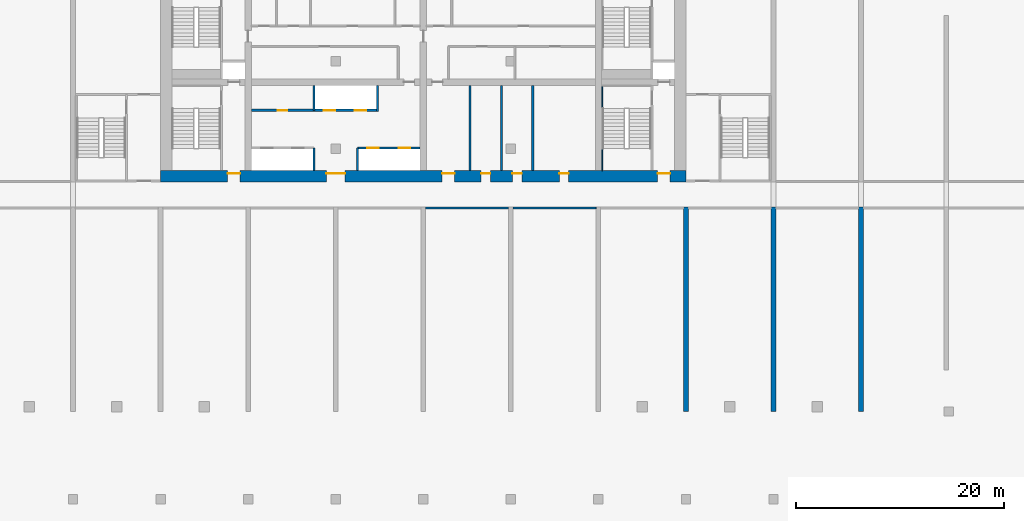
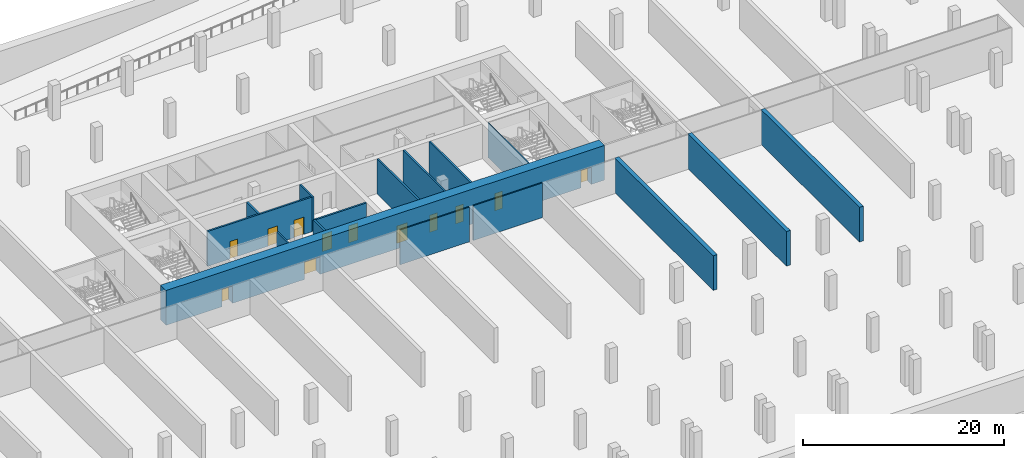
# One storey, part 5 of 13: 16 walls, 12 doors, 12 openings.
"""IFC4 building model written with IfcOpenShell, lengths in metres."""

from ifc_helpers import new_model, si_unit, direction, frame, frame_2d, origin, place, context, subcontext, project, spatial, rectangle, extrude, source, transform, mapped, material, layer, layer_set, type_object, element, fill, save


model = new_model("IFC4")

# Units and contexts
model_context = context("Model", 3, precision=1e-05, world=origin(), true_north=direction((0.0, 1.0)))
body_context = subcontext(model_context, "Body", "Model", "MODEL_VIEW")
ifc_project = project(units=[si_unit("LENGTHUNIT", "METRE"), si_unit("AREAUNIT", "SQUARE_METRE"), si_unit("VOLUMEUNIT", "CUBIC_METRE"), si_unit("PLANEANGLEUNIT", "RADIAN"), si_unit("MASSUNIT", "GRAM", prefix="KILO")], contexts=[model_context])

# Site, building, storey
site_placement = place(None, origin())
site = spatial("IfcSite", under=ifc_project, at=site_placement, CompositionType="ELEMENT")
building_placement = place(site_placement, origin())
building = spatial("IfcBuilding", under=site, at=building_placement, Name="Vanashikhar Sky Hotel", CompositionType="ELEMENT")
storey_placement = place(building_placement, frame((0.0, 0.0, -9.0)))
storey = spatial("IfcBuildingStorey", under=building, at=storey_placement, Name="B2", CompositionType="ELEMENT", Elevation=-9.0)

# Wall, openings, doors
ifc_material_1 = material(Name="Concrete M80", Category="concrete")
ifc_layer_1 = layer(ifc_material_1, 1.10009765625)
ifc_layer_set_1 = layer_set([ifc_layer_1], Name="RC core shell wall 1100 Concrete M80")
wall_type_1 = type_object("IfcWallType", Name="RC core shell wall 1100 Concrete M80", PredefinedType="SHEAR", material=ifc_layer_set_1)
shared_shape_1 = source(origin(), body_context, "Body", "SweptSolid", [
    extrude(rectangle(XDim=50.400146484375, YDim=1.10009765625, at=frame_2d((25.2001953125, 0.0))), origin(), (0.0, 0.0, 1.0), 4.219970703125),
])
wall_1_placement = place(storey_placement, frame((25.199951171875, 22.550048828125, 0.0), z_axis=(0.0, 0.0, 1.0), x_axis=(1.0, 0.0, 0.0)))
wall_1 = element("IfcWall", 1, at=wall_1_placement, inside=storey, type_object=wall_type_1, Name="KW-B2-KS", PredefinedType="SHEAR", context=body_context, shape_type="MappedRepresentation", body=[
    mapped(shared_shape_1, transform((0.0, 0.0, 0.0), scale=1.0)),
])
shared_shape_2 = source(origin(), body_context, "Body", "SweptSolid", [
    extrude(rectangle(XDim=1.800048828125, YDim=2.10009765625, at=frame_2d((0.89990234375, 1.050048828125))), frame((0.0, 0.56005859375, 0.0), z_axis=(0.0, -1.0, 0.0), x_axis=(1.0, 0.0, 0.0)), (0.0, 0.0, 1.0), 1.1201171875),
])
opening_1_placement = place(wall_1_placement, frame((15.89990234375, 0.0, 0.0)))
opening_1 = element("IfcOpeningElement", 2, at=opening_1_placement, cuts=wall_1, Name="Opening DC-3", PredefinedType="OPENING", context=body_context, shape_type="MappedRepresentation", body=[
    mapped(shared_shape_2, transform((0.0, 0.0, 0.0), scale=1.0)),
])
shared_shape_3 = source(origin(), body_context, "Body", "SweptSolid", [
    extrude(rectangle(XDim=1.199951171875, YDim=2.10009765625, at=frame_2d((0.60009765625, 1.050048828125))), frame((0.0, 0.56005859375, 0.0), z_axis=(0.0, -1.0, 0.0), x_axis=(1.0, 0.0, 0.0)), (0.0, 0.0, 1.0), 1.1201171875),
])
opening_2_placement = place(wall_1_placement, frame((27.0, 0.0, 0.0)))
opening_2 = element("IfcOpeningElement", 3, at=opening_2_placement, cuts=wall_1, Name="Opening DC-4-B", PredefinedType="OPENING", context=body_context, shape_type="MappedRepresentation", body=[
    mapped(shared_shape_3, transform((0.0, 0.0, 0.0), scale=1.0)),
])
shared_shape_4 = source(origin(), body_context, "Body", "SweptSolid", [
    extrude(rectangle(XDim=0.89990234375, YDim=2.10009765625, at=frame_2d((0.449951171875, 1.050048828125))), frame((0.0, 0.56005859375, 0.0), z_axis=(0.0, -1.0, 0.0), x_axis=(1.0, 0.0, 0.0)), (0.0, 0.0, 1.0), 1.1201171875),
])
opening_3_placement = place(wall_1_placement, frame((33.75, 0.0, 0.0)))
opening_3 = element("IfcOpeningElement", 4, at=opening_3_placement, cuts=wall_1, Name="Opening DC-4-A", PredefinedType="OPENING", context=body_context, shape_type="MappedRepresentation", body=[
    mapped(shared_shape_4, transform((0.0, 0.0, 0.0), scale=1.0)),
])
opening_4_placement = place(wall_1_placement, frame((30.75, 0.0, 0.0)))
opening_4 = element("IfcOpeningElement", 5, at=opening_4_placement, cuts=wall_1, Name="Opening DC-4-A", PredefinedType="OPENING", context=body_context, shape_type="MappedRepresentation", body=[
    mapped(shared_shape_4, transform((0.0, 0.0, 0.0), scale=1.0)),
])
opening_5_placement = place(wall_1_placement, frame((38.25, 0.0, 0.0)))
opening_5 = element("IfcOpeningElement", 6, at=opening_5_placement, cuts=wall_1, Name="Opening DC-4-A", PredefinedType="OPENING", context=body_context, shape_type="MappedRepresentation", body=[
    mapped(shared_shape_4, transform((0.0, 0.0, 0.0), scale=1.0)),
])
opening_6_placement = place(wall_1_placement, frame((6.425048828125, 0.0, 0.0)))
opening_6 = element("IfcOpeningElement", 7, at=opening_6_placement, cuts=wall_1, Name="Opening DC-2", PredefinedType="OPENING", context=body_context, shape_type="MappedRepresentation", body=[
    mapped(shared_shape_3, transform((0.0, 0.0, 0.0), scale=1.0)),
])
opening_7_placement = place(wall_1_placement, frame((47.675048828125, 0.0, 0.0)))
opening_7 = element("IfcOpeningElement", 8, at=opening_7_placement, cuts=wall_1, Name="Opening DC-2", PredefinedType="OPENING", context=body_context, shape_type="MappedRepresentation", body=[
    mapped(shared_shape_3, transform((0.0, 0.0, 0.0), scale=1.0)),
])
ifc_material_2 = material(Name="Glass", Category="glass")
door_type_1 = type_object("IfcDoorType", Name="Lift lobby entrance door 1800 FD60", OperationType="NOTDEFINED", PredefinedType="DOOR", material=ifc_material_2)
shared_shape_5 = source(origin(), body_context, "Body", "SweptSolid", [
    extrude(rectangle(XDim=1.800048828125, YDim=2.10009765625, at=frame_2d((0.89990234375, 1.050048828125))), frame((0.0, 0.3251953125, 0.0), z_axis=(0.0, -1.0, 0.0), x_axis=(1.0, 0.0, 0.0)), (0.0, 0.0, 1.0), 0.050048828125),
])
door_1_placement = place(opening_1_placement, origin())
door_1 = element("IfcDoor", 9, at=door_1_placement, inside=storey, type_object=door_type_1, Name="Lift lobby entrance door 1800 FD60", OperationType="DOUBLE_DOOR_SINGLE_SWING", OverallHeight=2.10009765625, OverallWidth=1.800048828125, PredefinedType="DOOR", context=body_context, shape_type="MappedRepresentation", body=[
    mapped(shared_shape_5, transform((0.0, 0.0, 0.0), scale=1.0)),
])
fill(opening_1, door_1)
ifc_material_3 = material(Name="Steel", Category="steel")
door_type_2 = type_object("IfcDoorType", Name="Service door 1200 FD60", OperationType="NOTDEFINED", PredefinedType="DOOR", material=ifc_material_3)
shared_shape_6 = source(origin(), body_context, "Body", "SweptSolid", [
    extrude(rectangle(XDim=1.199951171875, YDim=2.10009765625, at=frame_2d((0.60009765625, 1.050048828125))), frame((0.0, 0.3251953125, 0.0), z_axis=(0.0, -1.0, 0.0), x_axis=(1.0, 0.0, 0.0)), (0.0, 0.0, 1.0), 0.050048828125),
])
door_2_placement = place(opening_2_placement, origin())
door_2 = element("IfcDoor", 10, at=door_2_placement, inside=storey, type_object=door_type_2, Name="Service door 1200 FD60", OperationType="SINGLE_SWING_LEFT", OverallHeight=2.10009765625, OverallWidth=1.199951171875, PredefinedType="DOOR", context=body_context, shape_type="MappedRepresentation", body=[
    mapped(shared_shape_6, transform((0.0, 0.0, 0.0), scale=1.0)),
])
fill(opening_2, door_2)
door_type_3 = type_object("IfcDoorType", Name="Firefighting lobby door 1200 FD120", OperationType="NOTDEFINED", PredefinedType="DOOR", material=ifc_material_3)
door_3_placement = place(opening_6_placement, origin())
door_3 = element("IfcDoor", 11, at=door_3_placement, inside=storey, type_object=door_type_3, Name="Firefighting lobby door 1200 FD120", OperationType="SINGLE_SWING_LEFT", OverallHeight=2.10009765625, OverallWidth=1.199951171875, PredefinedType="DOOR", context=body_context, shape_type="MappedRepresentation", body=[
    mapped(shared_shape_6, transform((0.0, 0.0, 0.0), scale=1.0)),
])
fill(opening_6, door_3)
door_4_placement = place(opening_7_placement, origin())
door_4 = element("IfcDoor", 12, at=door_4_placement, inside=storey, type_object=door_type_3, Name="Firefighting lobby door 1200 FD120", OperationType="SINGLE_SWING_RIGHT", OverallHeight=2.10009765625, OverallWidth=1.199951171875, PredefinedType="DOOR", context=body_context, shape_type="MappedRepresentation", body=[
    mapped(shared_shape_6, transform((0.0, 0.0, 0.0), scale=1.0)),
])
fill(opening_7, door_4)
door_type_4 = type_object("IfcDoorType", Name="Service door 900 FD60", OperationType="NOTDEFINED", PredefinedType="DOOR", material=ifc_material_3)
shared_shape_7 = source(origin(), body_context, "Body", "SweptSolid", [
    extrude(rectangle(XDim=0.89990234375, YDim=2.10009765625, at=frame_2d((0.449951171875, 1.050048828125))), frame((0.0, 0.3251953125, 0.0), z_axis=(0.0, -1.0, 0.0), x_axis=(1.0, 0.0, 0.0)), (0.0, 0.0, 1.0), 0.050048828125),
])
door_5_placement = place(opening_3_placement, origin())
door_5 = element("IfcDoor", 13, at=door_5_placement, inside=storey, type_object=door_type_4, Name="Service door 900 FD60", OperationType="SINGLE_SWING_LEFT", OverallHeight=2.10009765625, OverallWidth=0.89990234375, PredefinedType="DOOR", context=body_context, shape_type="MappedRepresentation", body=[
    mapped(shared_shape_7, transform((0.0, 0.0, 0.0), scale=1.0)),
])
fill(opening_3, door_5)
door_6_placement = place(opening_4_placement, origin())
door_6 = element("IfcDoor", 14, at=door_6_placement, inside=storey, type_object=door_type_4, Name="Service door 900 FD60", OperationType="SINGLE_SWING_RIGHT", OverallHeight=2.10009765625, OverallWidth=0.89990234375, PredefinedType="DOOR", context=body_context, shape_type="MappedRepresentation", body=[
    mapped(shared_shape_7, transform((0.0, 0.0, 0.0), scale=1.0)),
])
fill(opening_4, door_6)
door_7_placement = place(opening_5_placement, origin())
door_7 = element("IfcDoor", 15, at=door_7_placement, inside=storey, type_object=door_type_4, Name="Service door 900 FD60", OperationType="SINGLE_SWING_RIGHT", OverallHeight=2.10009765625, OverallWidth=0.89990234375, PredefinedType="DOOR", context=body_context, shape_type="MappedRepresentation", body=[
    mapped(shared_shape_7, transform((0.0, 0.0, 0.0), scale=1.0)),
])
fill(opening_5, door_7)

# Walls
ifc_layer_2 = layer(ifc_material_1, 0.449951171875)
ifc_layer_set_2 = layer_set([ifc_layer_2], Name="RC shear wall 450 Concrete M80")
wall_type_2 = type_object("IfcWallType", Name="RC shear wall 450 Concrete M80", PredefinedType="SHEAR", material=ifc_layer_set_2)
shared_shape_8 = source(origin(), body_context, "Body", "SweptSolid", [
    extrude(rectangle(XDim=19.60009765625, YDim=0.449951171875, at=frame_2d((9.800048828125, 0.0))), origin(), (0.0, 0.0, 1.0), 4.219970703125),
])
for number, where, z_axis, x_axis, name in (
    (16, (75.60009765625, 0.0, 0.0), (0.0, 0.0, 1.0), (0.0, 1.0, 0.0), "CW-B2-XW10-1"),
    (17, (84.0, 0.0, 0.0), (0.0, 0.0, 1.0), (0.0, 1.0, 0.0), "CW-B2-XW11-1"),
    (18, (92.39990234375, 0.0, 0.0), (0.0, 0.0, 1.0), (0.0, 1.0, 0.0), "CW-B2-XW12-1"),
):
    element("IfcWall", number, at=place(storey_placement, frame(where, z_axis=z_axis, x_axis=x_axis)), inside=storey, type_object=wall_type_2, Name=name, PredefinedType="SHEAR", context=body_context, shape_type="MappedRepresentation", body=[
        mapped(shared_shape_8, transform((0.0, 0.0, 0.0), scale=1.0)),
    ])

# Wall, openings, doors
ifc_material_4 = material(Name="Concrete M40", Category="concrete")
ifc_layer_3 = layer(ifc_material_4, 0.199951171875)
ifc_layer_set_3 = layer_set([ifc_layer_3], Name="Shaft wall 200")
wall_type_3 = type_object("IfcWallType", Name="Shaft wall 200", PredefinedType="SOLIDWALL", material=ifc_layer_set_3)
shared_shape_9 = source(origin(), body_context, "Body", "SweptSolid", [
    extrude(rectangle(XDim=6.0, YDim=0.199951171875, at=frame_2d((3.0, 0.0))), origin(), (0.0, 0.0, 1.0), 4.219970703125),
])
wall_2_placement = place(storey_placement, frame((44.10009765625, 25.300048828125, 0.0), z_axis=(0.0, 0.0, 1.0), x_axis=(1.0, 0.0, 0.0)))
wall_2 = element("IfcWall", 19, at=wall_2_placement, inside=storey, type_object=wall_type_3, Name="Shaft wall 200", PredefinedType="SOLIDWALL", context=body_context, shape_type="MappedRepresentation", body=[
    mapped(shared_shape_9, transform((0.0, 0.0, 0.0), scale=1.0)),
])
shared_shape_10 = source(origin(), body_context, "Body", "SweptSolid", [
    extrude(rectangle(XDim=1.10009765625, YDim=2.10009765625, at=frame_2d((0.550048828125, 1.050048828125))), frame((0.0, 0.10986328125, 0.0), z_axis=(0.0, -1.0, 0.0), x_axis=(1.0, 0.0, 0.0)), (0.0, 0.0, 1.0), 0.219970703125),
])
opening_8_placement = place(wall_2_placement, frame((0.949951171875, 0.0, 0.0)))
opening_8 = element("IfcOpeningElement", 20, at=opening_8_placement, cuts=wall_2, Name="Opening LD", PredefinedType="OPENING", context=body_context, shape_type="MappedRepresentation", body=[
    mapped(shared_shape_10, transform((0.0, 0.0, 0.0), scale=1.0)),
])
opening_9_placement = place(wall_2_placement, frame((3.949951171875, 0.0, 0.0)))
opening_9 = element("IfcOpeningElement", 21, at=opening_9_placement, cuts=wall_2, Name="Opening LD", PredefinedType="OPENING", context=body_context, shape_type="MappedRepresentation", body=[
    mapped(shared_shape_10, transform((0.0, 0.0, 0.0), scale=1.0)),
])
ifc_material_5 = material(Name="Stainless steel", Category="steel")
door_type_5 = type_object("IfcDoorType", Name="Lift landing door 1100", OperationType="NOTDEFINED", PredefinedType="DOOR", material=ifc_material_5)
shared_shape_11 = source(origin(), body_context, "Body", "SweptSolid", [
    extrude(rectangle(XDim=1.10009765625, YDim=2.10009765625, at=frame_2d((0.550048828125, 1.050048828125))), frame((0.0, 0.02490234375, 0.0), z_axis=(0.0, -1.0, 0.0), x_axis=(1.0, 0.0, 0.0)), (0.0, 0.0, 1.0), 0.050048828125),
])
door_8_placement = place(opening_8_placement, origin())
door_8 = element("IfcDoor", 22, at=door_8_placement, inside=storey, type_object=door_type_5, Name="Lift landing door 1100", OperationType="SLIDING_TO_LEFT", OverallHeight=2.10009765625, OverallWidth=1.10009765625, PredefinedType="DOOR", context=body_context, shape_type="MappedRepresentation", body=[
    mapped(shared_shape_11, transform((0.0, 0.0, 0.0), scale=1.0)),
])
fill(opening_8, door_8)
door_9_placement = place(opening_9_placement, origin())
door_9 = element("IfcDoor", 23, at=door_9_placement, inside=storey, type_object=door_type_5, Name="Lift landing door 1100", OperationType="SLIDING_TO_RIGHT", OverallHeight=2.10009765625, OverallWidth=1.10009765625, PredefinedType="DOOR", context=body_context, shape_type="MappedRepresentation", body=[
    mapped(shared_shape_11, transform((0.0, 0.0, 0.0), scale=1.0)),
])
fill(opening_9, door_9)

shared_shape_12 = source(origin(), body_context, "Body", "SweptSolid", [
    extrude(rectangle(XDim=12.0, YDim=0.199951171875, at=frame_2d((6.0, 0.0))), origin(), (0.0, 0.0, 1.0), 4.219970703125),
])
wall_3_placement = place(storey_placement, frame((33.89990234375, 28.89990234375, 0.0), z_axis=(0.0, 0.0, 1.0), x_axis=(1.0, 0.0, 0.0)))
wall_3 = element("IfcWall", 24, at=wall_3_placement, inside=storey, type_object=wall_type_3, Name="Shaft wall 200", PredefinedType="SOLIDWALL", context=body_context, shape_type="MappedRepresentation", body=[
    mapped(shared_shape_12, transform((0.0, 0.0, 0.0), scale=1.0)),
])
opening_10_placement = place(wall_3_placement, frame((6.949951171875, 0.0, 0.0)))
opening_10 = element("IfcOpeningElement", 25, at=opening_10_placement, cuts=wall_3, Name="Opening LD", PredefinedType="OPENING", context=body_context, shape_type="MappedRepresentation", body=[
    mapped(shared_shape_10, transform((0.0, 0.0, 0.0), scale=1.0)),
])
opening_11_placement = place(wall_3_placement, frame((9.949951171875, 0.0, 0.0)))
opening_11 = element("IfcOpeningElement", 26, at=opening_11_placement, cuts=wall_3, Name="Opening LD", PredefinedType="OPENING", context=body_context, shape_type="MappedRepresentation", body=[
    mapped(shared_shape_10, transform((0.0, 0.0, 0.0), scale=1.0)),
])
shared_shape_13 = source(origin(), body_context, "Body", "SweptSolid", [
    extrude(rectangle(XDim=0.89990234375, YDim=2.10009765625, at=frame_2d((0.449951171875, 1.050048828125))), frame((0.0, 0.10986328125, 0.0), z_axis=(0.0, -1.0, 0.0), x_axis=(1.0, 0.0, 0.0)), (0.0, 0.0, 1.0), 0.219970703125),
])
opening_12_placement = place(wall_3_placement, frame((2.550048828125, 0.0, 0.0)))
opening_12 = element("IfcOpeningElement", 27, at=opening_12_placement, cuts=wall_3, Name="Opening DC-4-A", PredefinedType="OPENING", context=body_context, shape_type="MappedRepresentation", body=[
    mapped(shared_shape_13, transform((0.0, 0.0, 0.0), scale=1.0)),
])
door_10_placement = place(opening_10_placement, origin())
door_10 = element("IfcDoor", 28, at=door_10_placement, inside=storey, type_object=door_type_5, Name="Lift landing door 1100", OperationType="SLIDING_TO_LEFT", OverallHeight=2.10009765625, OverallWidth=1.10009765625, PredefinedType="DOOR", context=body_context, shape_type="MappedRepresentation", body=[
    mapped(shared_shape_11, transform((0.0, 0.0, 0.0), scale=1.0)),
])
fill(opening_10, door_10)
door_11_placement = place(opening_11_placement, origin())
door_11 = element("IfcDoor", 29, at=door_11_placement, inside=storey, type_object=door_type_5, Name="Lift landing door 1100", OperationType="SLIDING_TO_RIGHT", OverallHeight=2.10009765625, OverallWidth=1.10009765625, PredefinedType="DOOR", context=body_context, shape_type="MappedRepresentation", body=[
    mapped(shared_shape_11, transform((0.0, 0.0, 0.0), scale=1.0)),
])
fill(opening_11, door_11)
shared_shape_14 = source(origin(), body_context, "Body", "SweptSolid", [
    extrude(rectangle(XDim=0.89990234375, YDim=2.10009765625, at=frame_2d((0.449951171875, 1.050048828125))), frame((0.0, 0.02490234375, 0.0), z_axis=(0.0, -1.0, 0.0), x_axis=(1.0, 0.0, 0.0)), (0.0, 0.0, 1.0), 0.050048828125),
])
door_12_placement = place(opening_12_placement, origin())
door_12 = element("IfcDoor", 30, at=door_12_placement, inside=storey, type_object=door_type_4, Name="Service door 900 FD60", OperationType="SINGLE_SWING_LEFT", OverallHeight=2.10009765625, OverallWidth=0.89990234375, PredefinedType="DOOR", context=body_context, shape_type="MappedRepresentation", body=[
    mapped(shared_shape_14, transform((0.0, 0.0, 0.0), scale=1.0)),
])
fill(opening_12, door_12)

# Walls
shared_shape_15 = source(origin(), body_context, "Body", "SweptSolid", [
    extrude(rectangle(XDim=2.199951171875, YDim=0.199951171875, at=frame_2d((1.10009765625, 0.0))), origin(), (0.0, 0.0, 1.0), 4.219970703125),
])
for number, where, z_axis, x_axis, name in (
    (31, (39.89990234375, 23.10009765625, 0.0), (0.0, 0.0, 1.0), (0.0, 1.0, 0.0), "Shaft wall 200"),
    (32, (44.10009765625, 23.10009765625, 0.0), (0.0, 0.0, 1.0), (0.0, 1.0, 0.0), "Shaft wall 200"),
):
    element("IfcWall", number, at=place(storey_placement, frame(where, z_axis=z_axis, x_axis=x_axis)), inside=storey, type_object=wall_type_3, Name=name, PredefinedType="SOLIDWALL", context=body_context, shape_type="MappedRepresentation", body=[
        mapped(shared_shape_15, transform((0.0, 0.0, 0.0), scale=1.0)),
    ])
shared_shape_16 = source(origin(), body_context, "Body", "SweptSolid", [
    extrude(rectangle(XDim=2.5, YDim=0.199951171875, at=frame_2d((1.25, 0.0))), origin(), (0.0, 0.0, 1.0), 4.219970703125),
])
wall_4_placement = place(storey_placement, frame((46.0, 28.800048828125, 0.0), z_axis=(0.0, 0.0, 1.0), x_axis=(0.0, 1.0, 0.0)))
element("IfcWall", 33, at=wall_4_placement, inside=storey, type_object=wall_type_3, Name="Shaft wall 200", PredefinedType="SOLIDWALL", context=body_context, shape_type="MappedRepresentation", body=[
    mapped(shared_shape_16, transform((0.0, 0.0, 0.0), scale=1.0)),
])
ifc_material_6 = material(Name="Gypsum board partition")
ifc_layer_4 = layer(ifc_material_6, 0.14990234375)
ifc_layer_set_4 = layer_set([ifc_layer_4], Name="Service partition 150")
wall_type_4 = type_object("IfcWallType", Name="Service partition 150", PredefinedType="PARTITIONING", material=ifc_layer_set_4)
shared_shape_17 = source(origin(), body_context, "Body", "SweptSolid", [
    extrude(rectangle(XDim=2.400146484375, YDim=0.199951171875, at=frame_2d((1.2001953125, 0.0))), origin(), (0.0, 0.0, 1.0), 4.219970703125),
])
wall_5_placement = place(storey_placement, frame((39.89990234375, 28.89990234375, 0.0), z_axis=(0.0, 0.0, 1.0), x_axis=(0.0, 1.0, 0.0)))
element("IfcWall", 34, at=wall_5_placement, inside=storey, type_object=wall_type_4, Name="Service partition 150", PredefinedType="PARTITIONING", context=body_context, shape_type="MappedRepresentation", body=[
    mapped(shared_shape_17, transform((0.0, 0.0, 0.0), scale=1.0)),
])
shared_shape_18 = source(origin(), body_context, "Body", "SweptSolid", [
    extrude(rectangle(XDim=8.199951171875, YDim=0.199951171875, at=frame_2d((4.10009765625, 0.0))), origin(), (0.0, 0.0, 1.0), 4.219970703125),
])
for number, where, z_axis, x_axis, name in (
    (35, (54.89990234375, 23.10009765625, 0.0), (0.0, 0.0, 1.0), (0.0, 1.0, 0.0), "Service partition 150"),
    (36, (60.89990234375, 23.10009765625, 0.0), (0.0, 0.0, 1.0), (0.0, 1.0, 0.0), "Service partition 150"),
    (37, (57.89990234375, 23.10009765625, 0.0), (0.0, 0.0, 1.0), (0.0, 1.0, 0.0), "Service partition 150"),
):
    element("IfcWall", number, at=place(storey_placement, frame(where, z_axis=z_axis, x_axis=x_axis)), inside=storey, type_object=wall_type_4, Name=name, PredefinedType="PARTITIONING", context=body_context, shape_type="MappedRepresentation", body=[
        mapped(shared_shape_18, transform((0.0, 0.0, 0.0), scale=1.0)),
    ])
ifc_material_7 = material(Name="Concrete M50", Category="concrete")
ifc_layer_5 = layer(ifc_material_7, 0.10009765625)
ifc_layer_set_5 = layer_set([ifc_layer_5], Name="Stair infill wall 100")
wall_type_5 = type_object("IfcWallType", Name="Stair infill wall 100", PredefinedType="SOLIDWALL", material=ifc_layer_set_5)
shared_shape_19 = source(origin(), body_context, "Body", "SweptSolid", [
    extrude(rectangle(XDim=8.099853515625, YDim=0.10009765625, at=frame_2d((4.0498046875, 0.0))), origin(), (0.0, 0.0, 1.0), 4.219970703125),
])
wall_6_placement = place(storey_placement, frame((67.550048828125, 23.10009765625, 0.0), z_axis=(0.0, 0.0, 1.0), x_axis=(0.0, 1.0, 0.0)))
element("IfcWall", 38, at=wall_6_placement, inside=storey, type_object=wall_type_5, Name="Stair infill wall 100", PredefinedType="SOLIDWALL", context=body_context, shape_type="MappedRepresentation", body=[
    mapped(shared_shape_19, transform((0.0, 0.0, 0.0), scale=1.0)),
])
ifc_material_8 = material(Name="Concrete M30", Category="concrete")
ifc_layer_6 = layer(ifc_material_8, 0.14990234375)
ifc_layer_set_6 = layer_set([ifc_layer_6], Name="Car park partition 150 mm")
wall_type_6 = type_object("IfcWallType", Name="Car park partition 150 mm", PredefinedType="PARTITIONING", material=ifc_layer_set_6)
shared_shape_20 = source(origin(), body_context, "Body", "SweptSolid", [
    extrude(rectangle(XDim=7.949951171875, YDim=0.14990234375, at=frame_2d((3.97509765625, 0.0))), origin(), (0.0, 0.0, 1.0), 4.219970703125),
])
wall_7_placement = place(storey_placement, frame((50.625, 19.52490234375, 0.0), z_axis=(0.0, 0.0, 1.0), x_axis=(1.0, 0.0, 0.0)))
element("IfcWall", 39, at=wall_7_placement, inside=storey, type_object=wall_type_6, Name="Car park partition", PredefinedType="PARTITIONING", context=body_context, shape_type="MappedRepresentation", body=[
    mapped(shared_shape_20, transform((0.0, 0.0, 0.0), scale=1.0)),
])
shared_shape_21 = source(origin(), body_context, "Body", "SweptSolid", [
    extrude(rectangle(XDim=7.9501953125, YDim=0.14990234375, at=frame_2d((3.97509765625, 0.0))), origin(), (0.0, 0.0, 1.0), 4.219970703125),
])
wall_8_placement = place(storey_placement, frame((59.02490234375, 19.52490234375, 0.0), z_axis=(0.0, 0.0, 1.0), x_axis=(1.0, 0.0, 0.0)))
element("IfcWall", 40, at=wall_8_placement, inside=storey, type_object=wall_type_6, Name="Car park partition", PredefinedType="PARTITIONING", context=body_context, shape_type="MappedRepresentation", body=[
    mapped(shared_shape_21, transform((0.0, 0.0, 0.0), scale=1.0)),
])

save(model, "model.ifc")
